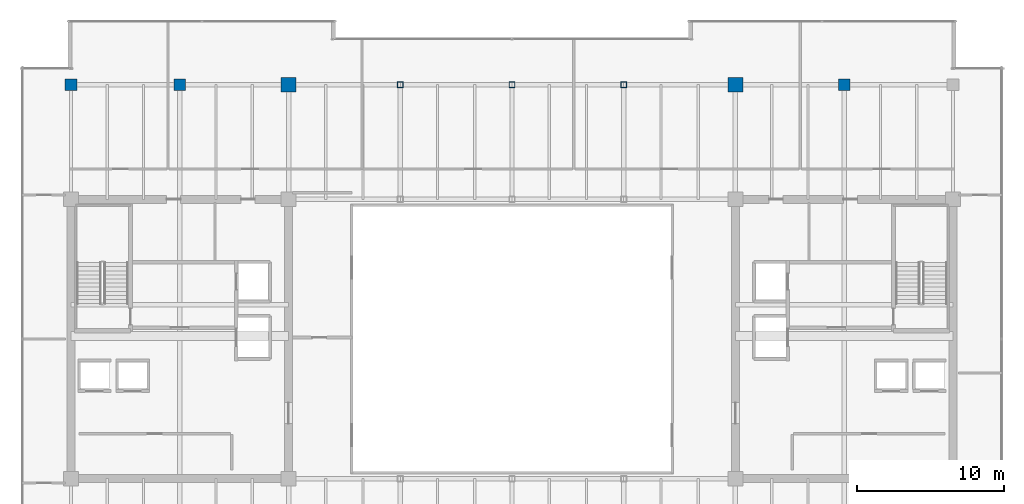
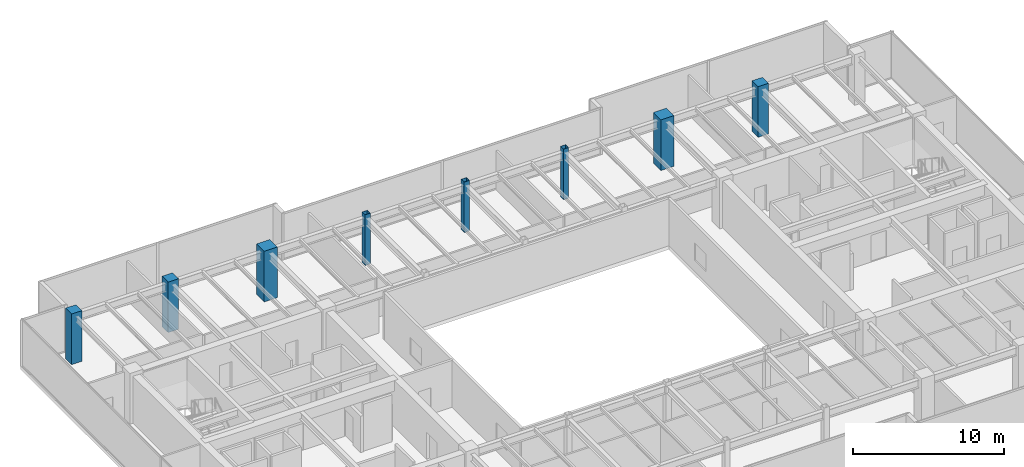
# One storey, part 3 of 33: 8 columns.
"""IFC4 building model written with IfcOpenShell, lengths in metres."""

from ifc_helpers import new_model, si_unit, direction, frame, origin, origin_2d, place, context, subcontext, project, spatial, rectangle, hollow_rectangle, extrude, source, transform, mapped, material, material_profile, profile_set, type_object, type_shapes, element, save


model = new_model("IFC4")

# Units and contexts
model_context = context("Model", 3, precision=1e-05, world=origin(), true_north=direction((0.0, 1.0)))
body_context = subcontext(model_context, "Body", "Model", "MODEL_VIEW")
ifc_project = project(units=[si_unit("LENGTHUNIT", "METRE"), si_unit("AREAUNIT", "SQUARE_METRE"), si_unit("VOLUMEUNIT", "CUBIC_METRE"), si_unit("PLANEANGLEUNIT", "RADIAN"), si_unit("MASSUNIT", "GRAM", prefix="KILO")], contexts=[model_context])

# Site, building, storey
site_placement = place(None, origin())
site = spatial("IfcSite", under=ifc_project, at=site_placement, CompositionType="ELEMENT")
building_placement = place(site_placement, origin())
building = spatial("IfcBuilding", under=site, at=building_placement, Name="Haelvirn Gate Laboratories", CompositionType="ELEMENT")
storey_placement = place(building_placement, frame((0.0, 0.0, 217.800048828125)))
storey = spatial("IfcBuildingStorey", under=building, at=storey_placement, Name="L52", CompositionType="ELEMENT", Elevation=217.800048828125)

# Columns
ifc_material_1 = material(Name="Concrete C60/75", Category="concrete")
ifc_material_profile_1 = material_profile(ifc_material_1, rectangle(XDim=1.0, YDim=1.0, at=origin_2d()), Name="RC-1000x1000")
ifc_profile_set_1 = profile_set([ifc_material_profile_1], Name="Concrete C60/75")
column_type_1 = type_object("IfcColumnType", Name="COL-RC-1000", PredefinedType="COLUMN", material=ifc_profile_set_1)
shared_shape_1 = source(origin(), body_context, "Body", "SweptSolid", [
    extrude(rectangle(XDim=1.0, YDim=1.0, at=origin_2d()), origin(), (0.0, 0.0, 1.0), 4.099853515625),
])
type_shapes(column_type_1, [shared_shape_1])
for number, where, z_axis, x_axis, name in (
    (1, (22.199951171875, 41.60009765625, 0.0), (0.0, 0.0, 1.0), (1.0, 0.0, 0.0), "L52 Column 4G"),
    (2, (52.60009765625, 41.60009765625, 0.0), (0.0, 0.0, 1.0), (1.0, 0.0, 0.0), "L52 Column 8G"),
):
    element("IfcColumn", number, at=place(storey_placement, frame(where, z_axis=z_axis, x_axis=x_axis)), inside=storey, type_object=column_type_1, Name=name, PredefinedType="COLUMN", context=body_context, shape_type="MappedRepresentation", body=[
        mapped(shared_shape_1, transform((0.0, 0.0, 0.0), scale=1.0)),
    ])
ifc_material_2 = material(Name="Concrete C50/60", Category="concrete")
ifc_material_profile_2 = material_profile(ifc_material_2, rectangle(XDim=0.800048828125, YDim=0.800048828125, at=origin_2d()), Name="RC-800x800")
ifc_profile_set_2 = profile_set([ifc_material_profile_2], Name="Concrete C50/60")
column_type_2 = type_object("IfcColumnType", Name="COL-RC-800", PredefinedType="COLUMN", material=ifc_profile_set_2)
shared_shape_2 = source(origin(), body_context, "Body", "SweptSolid", [
    extrude(rectangle(XDim=0.800048828125, YDim=0.800048828125, at=origin_2d()), origin(), (0.0, 0.0, 1.0), 4.099853515625),
])
type_shapes(column_type_2, [shared_shape_2])
for number, where, z_axis, x_axis, name in (
    (3, (14.800048828125, 41.60009765625, 0.0), (0.0, 0.0, 1.0), (1.0, 0.0, 0.0), "L52 Column 3G"),
    (4, (60.0, 41.60009765625, 0.0), (0.0, 0.0, 1.0), (1.0, 0.0, 0.0), "L52 Column 9G"),
    (5, (7.39990234375, 41.60009765625, 0.0), (0.0, 0.0, 1.0), (1.0, 0.0, 0.0), "L52 Column 2G"),
):
    element("IfcColumn", number, at=place(storey_placement, frame(where, z_axis=z_axis, x_axis=x_axis)), inside=storey, type_object=column_type_2, Name=name, PredefinedType="COLUMN", context=body_context, shape_type="MappedRepresentation", body=[
        mapped(shared_shape_2, transform((0.0, 0.0, 0.0), scale=1.0)),
    ])
ifc_material_3 = material(Name="Steel SM355", Category="steel")
ifc_material_profile_3 = material_profile(ifc_material_3, hollow_rectangle(XDim=0.39990234375, YDim=0.39990234375, WallThickness=0.01904296875, at=origin_2d()), Name="BOX-400x400x19")
ifc_profile_set_3 = profile_set([ifc_material_profile_3], Name="Steel SM355")
column_type_3 = type_object("IfcColumnType", Name="COL-BOX-400", PredefinedType="COLUMN", material=ifc_profile_set_3)
shared_shape_3 = source(origin(), body_context, "Body", "SweptSolid", [
    extrude(hollow_rectangle(XDim=0.39990234375, YDim=0.39990234375, WallThickness=0.01904296875, at=origin_2d()), origin(), (0.0, 0.0, 1.0), 4.099853515625),
])
type_shapes(column_type_3, [shared_shape_3])
for number, where, z_axis, x_axis, name in (
    (6, (29.800048828125, 41.60009765625, 0.0), (0.0, 0.0, 1.0), (1.0, 0.0, 0.0), "L52 Column 5G"),
    (7, (37.39990234375, 41.60009765625, 0.0), (0.0, 0.0, 1.0), (1.0, 0.0, 0.0), "L52 Column 6G"),
    (8, (45.0, 41.60009765625, 0.0), (0.0, 0.0, 1.0), (1.0, 0.0, 0.0), "L52 Column 7G"),
):
    element("IfcColumn", number, at=place(storey_placement, frame(where, z_axis=z_axis, x_axis=x_axis)), inside=storey, type_object=column_type_3, Name=name, PredefinedType="COLUMN", context=body_context, shape_type="MappedRepresentation", body=[
        mapped(shared_shape_3, transform((0.0, 0.0, 0.0), scale=1.0)),
    ])

save(model, "model.ifc")
